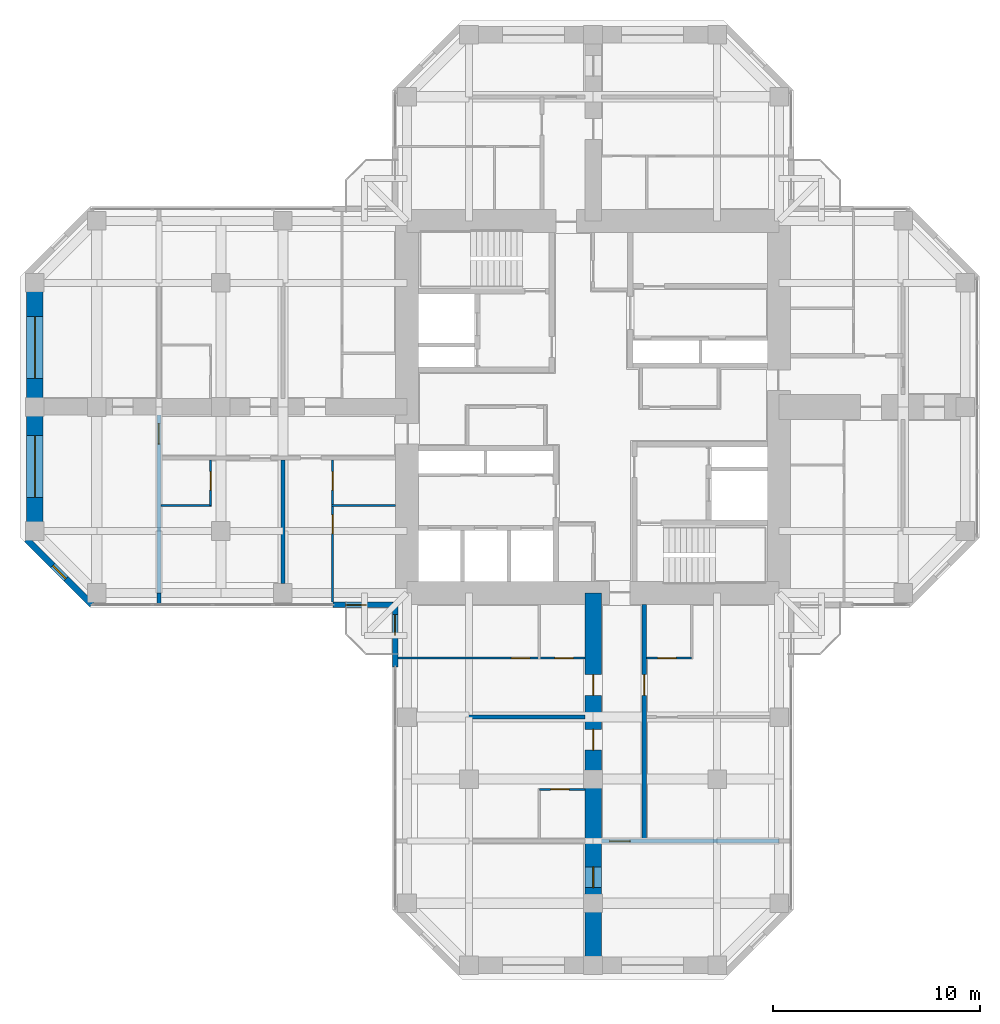
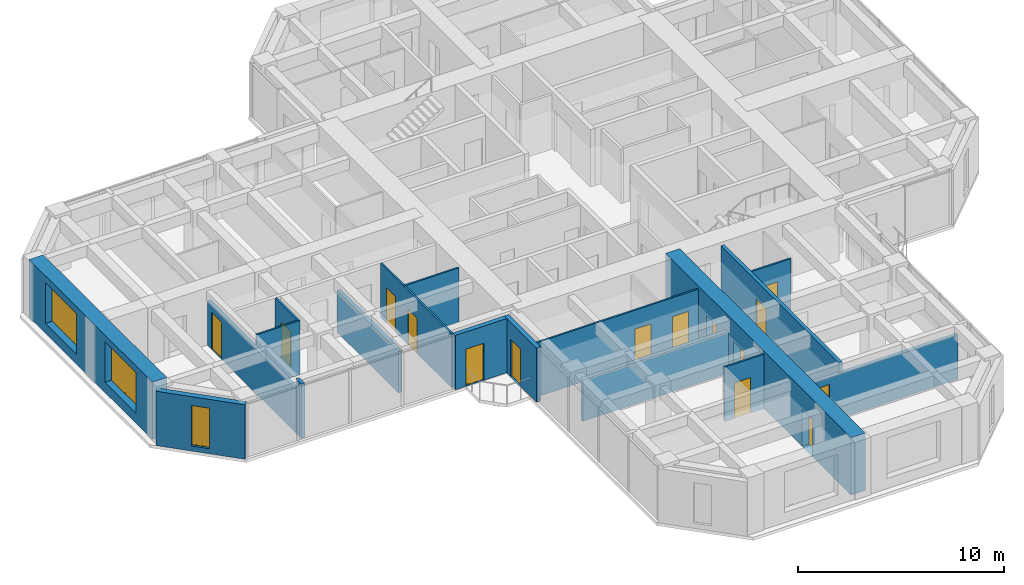
# One storey, part 8 of 14: 18 walls, 15 doors, 3 windows, 18 openings.
"""IFC4 building model written with IfcOpenShell, lengths in metres."""

from ifc_helpers import new_model, si_unit, direction, frame, frame_2d, origin, place, context, subcontext, project, spatial, rectangle, hollow_rectangle, extrude, material, layer, layer_set, constituent, constituent_set, type_object, element, fill, save


model = new_model("IFC4")

# Units and contexts
model_context = context("Model", 3, precision=1e-05, world=origin(), true_north=direction((0.0, 1.0)))
body_context = subcontext(model_context, "Body", "Model", "MODEL_VIEW")
ifc_project = project(units=[si_unit("LENGTHUNIT", "METRE"), si_unit("AREAUNIT", "SQUARE_METRE"), si_unit("VOLUMEUNIT", "CUBIC_METRE"), si_unit("PLANEANGLEUNIT", "RADIAN"), si_unit("MASSUNIT", "GRAM", prefix="KILO")], contexts=[model_context])

# Site, building, storey
site_placement = place(None, origin())
site = spatial("IfcSite", under=ifc_project, at=site_placement, CompositionType="ELEMENT")
building_placement = place(site_placement, origin())
building = spatial("IfcBuilding", under=site, at=building_placement, Name="Torre Cruceta", CompositionType="ELEMENT")
storey_placement = place(building_placement, frame((0.0, 0.0, 186.5)))
storey = spatial("IfcBuildingStorey", under=building, at=storey_placement, Name="L46", CompositionType="ELEMENT", Elevation=186.5)

# Wall, opening, door
ifc_material_1 = material(Name="Water-resistant plasterboard on steel studs", Category="steel")
ifc_layer_1 = layer(ifc_material_1, 0.10009765625)
ifc_layer_set_1 = layer_set([ifc_layer_1], Name="Water-resistant plasterboard on steel studs")
wall_type_1 = type_object("IfcWallType", Name="BATHROOM WALL 100", PredefinedType="PARTITIONING", material=ifc_layer_set_1)
wall_1_placement = place(storey_placement, frame((2.574951171875, -12.14990234375, 0.0), z_axis=(0.0, 0.0, 1.0), x_axis=(1.0, 0.0, 0.0)))
wall_1 = element("IfcWall", 1, at=wall_1_placement, inside=storey, type_object=wall_type_1, Name="PT4 L46-S-U1LBS", PredefinedType="PARTITIONING", context=body_context, shape_type="SweptSolid", body=[
    extrude(rectangle(XDim=2.199951171875, YDim=0.10009765625, at=frame_2d((1.10009765625, 0.0))), origin(), (0.0, 0.0, 1.0), 3.219970703125),
])
opening_1_placement = place(wall_1_placement, frame((0.550048828125, 0.0, 0.0)))
opening_1 = element("IfcOpeningElement", 2, at=opening_1_placement, cuts=wall_1, Name="Opening D7", PredefinedType="OPENING", context=body_context, shape_type="SweptSolid", body=[
    extrude(rectangle(XDim=0.89990234375, YDim=2.10009765625, at=frame_2d((0.449951171875, 1.050048828125))), frame((0.0, 0.06005859375, 0.0), z_axis=(0.0, -1.0, 0.0), x_axis=(1.0, 0.0, 0.0)), (0.0, 0.0, 1.0), 0.1201171875),
])
ifc_material_2 = material(Name="Timber door", Category="wood")
door_type_1 = type_object("IfcDoorType", Name="BATHROOM DOOR 900X2100", OperationType="SINGLE_SWING_LEFT", PredefinedType="DOOR", material=ifc_material_2)
door_1_placement = place(opening_1_placement, origin())
door_1 = element("IfcDoor", 3, at=door_1_placement, inside=storey, type_object=door_type_1, Name="D7 L46-S-U1LBS-D1", OperationType="SINGLE_SWING_LEFT", OverallHeight=2.10009765625, OverallWidth=0.89990234375, PredefinedType="DOOR", context=body_context, shape_type="SweptSolid", body=[
    extrude(rectangle(XDim=0.89990234375, YDim=2.10009765625, at=frame_2d((0.449951171875, 1.050048828125))), frame((0.0, 0.02490234375, 0.0), z_axis=(0.0, -1.0, 0.0), x_axis=(1.0, 0.0, 0.0)), (0.0, 0.0, 1.0), 0.050048828125),
])
fill(opening_1, door_1)

# Wall, openings, doors
wall_2_placement = place(storey_placement, frame((-9.445068359375, -12.14990234375, 0.0), z_axis=(0.0, 0.0, 1.0), x_axis=(1.0, 0.0, 0.0)))
wall_2 = element("IfcWall", 4, at=wall_2_placement, inside=storey, type_object=wall_type_1, Name="PT4 L46-S-U1RBS", PredefinedType="PARTITIONING", context=body_context, shape_type="SweptSolid", body=[
    extrude(rectangle(XDim=9.045166015625, YDim=0.10009765625, at=frame_2d((4.5224609375, 0.0))), origin(), (0.0, 0.0, 1.0), 3.219970703125),
])
opening_2_placement = place(wall_2_placement, frame((5.4951171875, 0.0, 0.0)))
opening_2 = element("IfcOpeningElement", 5, at=opening_2_placement, cuts=wall_2, Name="Opening D7", PredefinedType="OPENING", context=body_context, shape_type="SweptSolid", body=[
    extrude(rectangle(XDim=0.89990234375, YDim=2.10009765625, at=frame_2d((0.449951171875, 1.050048828125))), frame((0.0, 0.06005859375, 0.0), z_axis=(0.0, -1.0, 0.0), x_axis=(1.0, 0.0, 0.0)), (0.0, 0.0, 1.0), 0.1201171875),
])
opening_3_placement = place(wall_2_placement, frame((7.594970703125, 0.0, 0.0)))
opening_3 = element("IfcOpeningElement", 6, at=opening_3_placement, cuts=wall_2, Name="Opening D7", PredefinedType="OPENING", context=body_context, shape_type="SweptSolid", body=[
    extrude(rectangle(XDim=0.89990234375, YDim=2.10009765625, at=frame_2d((0.449951171875, 1.050048828125))), frame((0.0, 0.06005859375, 0.0), z_axis=(0.0, -1.0, 0.0), x_axis=(1.0, 0.0, 0.0)), (0.0, 0.0, 1.0), 0.1201171875),
])
door_2_placement = place(opening_2_placement, origin())
door_2 = element("IfcDoor", 7, at=door_2_placement, inside=storey, type_object=door_type_1, Name="D7 L46-S-U1RBS-D1", OperationType="SINGLE_SWING_RIGHT", OverallHeight=2.10009765625, OverallWidth=0.89990234375, PredefinedType="DOOR", context=body_context, shape_type="SweptSolid", body=[
    extrude(rectangle(XDim=0.89990234375, YDim=2.10009765625, at=frame_2d((0.449951171875, 1.050048828125))), frame((0.0, 0.02490234375, 0.0), z_axis=(0.0, -1.0, 0.0), x_axis=(1.0, 0.0, 0.0)), (0.0, 0.0, 1.0), 0.050048828125),
])
fill(opening_2, door_2)
door_3_placement = place(opening_3_placement, origin())
door_3 = element("IfcDoor", 8, at=door_3_placement, inside=storey, type_object=door_type_1, Name="D7 L46-S-U1RBS-D2", OperationType="SINGLE_SWING_RIGHT", OverallHeight=2.10009765625, OverallWidth=0.89990234375, PredefinedType="DOOR", context=body_context, shape_type="SweptSolid", body=[
    extrude(rectangle(XDim=0.89990234375, YDim=2.10009765625, at=frame_2d((0.449951171875, 1.050048828125))), frame((0.0, 0.02490234375, 0.0), z_axis=(0.0, -1.0, 0.0), x_axis=(1.0, 0.0, 0.0)), (0.0, 0.0, 1.0), 0.050048828125),
])
fill(opening_3, door_3)

# Wall, opening, door
wall_3_placement = place(storey_placement, frame((-2.60009765625, -18.5, 0.0), z_axis=(0.0, 0.0, 1.0), x_axis=(1.0, 0.0, 0.0)))
wall_3 = element("IfcWall", 9, at=wall_3_placement, inside=storey, type_object=wall_type_1, Name="PT4 L46-S-U2RBS", PredefinedType="PARTITIONING", context=body_context, shape_type="SweptSolid", body=[
    extrude(rectangle(XDim=2.2001953125, YDim=0.10009765625, at=frame_2d((1.10009765625, 0.0))), origin(), (0.0, 0.0, 1.0), 3.219970703125),
])
opening_4_placement = place(wall_3_placement, frame((0.550048828125, 0.0, 0.0)))
opening_4 = element("IfcOpeningElement", 10, at=opening_4_placement, cuts=wall_3, Name="Opening D7", PredefinedType="OPENING", context=body_context, shape_type="SweptSolid", body=[
    extrude(rectangle(XDim=0.89990234375, YDim=2.10009765625, at=frame_2d((0.449951171875, 1.050048828125))), frame((0.0, 0.06005859375, 0.0), z_axis=(0.0, -1.0, 0.0), x_axis=(1.0, 0.0, 0.0)), (0.0, 0.0, 1.0), 0.1201171875),
])
door_4_placement = place(opening_4_placement, frame((0.89990234375, 0.0, 0.0), z_axis=(0.0, 0.0, 1.0), x_axis=(-1.0, 0.0, 0.0)))
door_4 = element("IfcDoor", 11, at=door_4_placement, inside=storey, type_object=door_type_1, Name="D7 L46-S-U2RBS-D1", OperationType="SINGLE_SWING_RIGHT", OverallHeight=2.10009765625, OverallWidth=0.89990234375, PredefinedType="DOOR", context=body_context, shape_type="SweptSolid", body=[
    extrude(rectangle(XDim=0.89990234375, YDim=2.10009765625, at=frame_2d((0.449951171875, 1.050048828125))), frame((0.0, 0.025146484375, 0.0), z_axis=(0.0, -1.0, 0.0), x_axis=(1.0, 0.0, 0.0)), (0.0, 0.0, 1.0), 0.050048828125),
])
fill(opening_4, door_4)

# Wall
wall_4_placement = place(storey_placement, frame((-9.550048828125, -4.77490234375, 0.0), z_axis=(0.0, 0.0, 1.0), x_axis=(-1.0, 0.0, 0.0)))
element("IfcWall", 12, at=wall_4_placement, inside=storey, type_object=wall_type_1, Name="PT4 L46-W-U1LBB", PredefinedType="PARTITIONING", context=body_context, shape_type="SweptSolid", body=[
    extrude(rectangle(XDim=3.099853515625, YDim=0.10009765625, at=frame_2d((1.5498046875, 0.0))), origin(), (0.0, 0.0, 1.0), 3.219970703125),
])

# Wall, openings, doors
wall_5_placement = place(storey_placement, frame((-12.60009765625, -2.574951171875, 0.0), z_axis=(0.0, 0.0, 1.0), x_axis=(0.0, -1.0, 0.0)))
wall_5 = element("IfcWall", 13, at=wall_5_placement, inside=storey, type_object=wall_type_1, Name="PT4 L46-W-U1LBS", PredefinedType="PARTITIONING", context=body_context, shape_type="SweptSolid", body=[
    extrude(rectangle(XDim=6.8701171875, YDim=0.10009765625, at=frame_2d((3.43505859375, 0.0))), origin(), (0.0, 0.0, 1.0), 3.219970703125),
])
opening_5_placement = place(wall_5_placement, frame((0.550048828125, 0.0, 0.0)))
opening_5 = element("IfcOpeningElement", 14, at=opening_5_placement, cuts=wall_5, Name="Opening D7", PredefinedType="OPENING", context=body_context, shape_type="SweptSolid", body=[
    extrude(rectangle(XDim=0.89990234375, YDim=2.10009765625, at=frame_2d((0.449951171875, 1.050048828125))), frame((0.0, 0.06005859375, 0.0), z_axis=(0.0, -1.0, 0.0), x_axis=(1.0, 0.0, 0.0)), (0.0, 0.0, 1.0), 0.1201171875),
])
opening_6_placement = place(wall_5_placement, frame((2.64990234375, 0.0, 0.0)))
opening_6 = element("IfcOpeningElement", 15, at=opening_6_placement, cuts=wall_5, Name="Opening D7", PredefinedType="OPENING", context=body_context, shape_type="SweptSolid", body=[
    extrude(rectangle(XDim=0.89990234375, YDim=2.10009765625, at=frame_2d((0.449951171875, 1.050048828125))), frame((0.0, 0.06005859375, 0.0), z_axis=(0.0, -1.0, 0.0), x_axis=(1.0, 0.0, 0.0)), (0.0, 0.0, 1.0), 0.1201171875),
])
door_5_placement = place(opening_5_placement, origin())
door_5 = element("IfcDoor", 16, at=door_5_placement, inside=storey, type_object=door_type_1, Name="D7 L46-W-U1LBS-D1", OperationType="SINGLE_SWING_LEFT", OverallHeight=2.10009765625, OverallWidth=0.89990234375, PredefinedType="DOOR", context=body_context, shape_type="SweptSolid", body=[
    extrude(rectangle(XDim=0.89990234375, YDim=2.10009765625, at=frame_2d((0.449951171875, 1.050048828125))), frame((0.0, 0.02490234375, 0.0), z_axis=(0.0, -1.0, 0.0), x_axis=(1.0, 0.0, 0.0)), (0.0, 0.0, 1.0), 0.050048828125),
])
fill(opening_5, door_5)
door_6_placement = place(opening_6_placement, origin())
door_6 = element("IfcDoor", 17, at=door_6_placement, inside=storey, type_object=door_type_1, Name="D7 L46-W-U1LBS-D2", OperationType="SINGLE_SWING_LEFT", OverallHeight=2.10009765625, OverallWidth=0.89990234375, PredefinedType="DOOR", context=body_context, shape_type="SweptSolid", body=[
    extrude(rectangle(XDim=0.89990234375, YDim=2.10009765625, at=frame_2d((0.449951171875, 1.050048828125))), frame((0.0, 0.02490234375, 0.0), z_axis=(0.0, -1.0, 0.0), x_axis=(1.0, 0.0, 0.0)), (0.0, 0.0, 1.0), 0.050048828125),
])
fill(opening_6, door_6)

# Wall
wall_6_placement = place(storey_placement, frame((-18.449951171875, -4.77490234375, 0.0), z_axis=(0.0, 0.0, 1.0), x_axis=(-1.0, 0.0, 0.0)))
element("IfcWall", 18, at=wall_6_placement, inside=storey, type_object=wall_type_1, Name="PT4 L46-W-U2LBB", PredefinedType="PARTITIONING", context=body_context, shape_type="SweptSolid", body=[
    extrude(rectangle(XDim=2.449951171875, YDim=0.10009765625, at=frame_2d((1.22509765625, 0.0))), origin(), (0.0, 0.0, 1.0), 3.219970703125),
])

# Wall, opening, door
wall_7_placement = place(storey_placement, frame((-18.5, -2.574951171875, 0.0), z_axis=(0.0, 0.0, 1.0), x_axis=(0.0, -1.0, 0.0)))
wall_7 = element("IfcWall", 19, at=wall_7_placement, inside=storey, type_object=wall_type_1, Name="PT4 L46-W-U2LBS", PredefinedType="PARTITIONING", context=body_context, shape_type="SweptSolid", body=[
    extrude(rectangle(XDim=2.199951171875, YDim=0.10009765625, at=frame_2d((1.10009765625, 0.0))), origin(), (0.0, 0.0, 1.0), 3.219970703125),
])
opening_7_placement = place(wall_7_placement, frame((0.550048828125, 0.0, 0.0)))
opening_7 = element("IfcOpeningElement", 20, at=opening_7_placement, cuts=wall_7, Name="Opening D7", PredefinedType="OPENING", context=body_context, shape_type="SweptSolid", body=[
    extrude(rectangle(XDim=0.89990234375, YDim=2.10009765625, at=frame_2d((0.449951171875, 1.050048828125))), frame((0.0, 0.06005859375, 0.0), z_axis=(0.0, -1.0, 0.0), x_axis=(1.0, 0.0, 0.0)), (0.0, 0.0, 1.0), 0.1201171875),
])
door_7_placement = place(opening_7_placement, frame((0.89990234375, 0.0, 0.0), z_axis=(0.0, 0.0, 1.0), x_axis=(-1.0, 0.0, 0.0)))
door_7 = element("IfcDoor", 21, at=door_7_placement, inside=storey, type_object=door_type_1, Name="D7 L46-W-U2LBS-D1", OperationType="SINGLE_SWING_RIGHT", OverallHeight=2.10009765625, OverallWidth=0.89990234375, PredefinedType="DOOR", context=body_context, shape_type="SweptSolid", body=[
    extrude(rectangle(XDim=0.89990234375, YDim=2.10009765625, at=frame_2d((0.449951171875, 1.050048828125))), frame((0.0, 0.025146484375, 0.0), z_axis=(0.0, -1.0, 0.0), x_axis=(1.0, 0.0, 0.0)), (0.0, 0.0, 1.0), 0.050048828125),
])
fill(opening_7, door_7)

ifc_material_3 = material(Name="Concrete G25 (fck 25 MPa)", Category="concrete")
ifc_layer_2 = layer(ifc_material_3, 0.199951171875)
ifc_layer_set_2 = layer_set([ifc_layer_2], Name="Concrete G25 (fck 25 MPa)")
wall_type_2 = type_object("IfcWallType", Name="CORRIDOR WALL 200", PredefinedType="SOLIDWALL", material=ifc_layer_set_2)
wall_8_placement = place(storey_placement, frame((2.47509765625, -9.550048828125, 0.0), z_axis=(0.0, 0.0, 1.0), x_axis=(0.0, -1.0, 0.0)))
wall_8 = element("IfcWall", 22, at=wall_8_placement, inside=storey, type_object=wall_type_2, Name="PT3 L46-S-CL", PredefinedType="SOLIDWALL", context=body_context, shape_type="SweptSolid", body=[
    extrude(rectangle(XDim=11.449951171875, YDim=0.199951171875, at=frame_2d((5.72509765625, 0.0))), origin(), (0.0, 0.0, 1.0), 3.219970703125),
])
opening_8_placement = place(wall_8_placement, frame((3.39990234375, 0.0, 0.0)))
opening_8 = element("IfcOpeningElement", 23, at=opening_8_placement, cuts=wall_8, Name="Opening D6", PredefinedType="OPENING", context=body_context, shape_type="SweptSolid", body=[
    extrude(rectangle(XDim=1.0, YDim=2.14990234375, at=frame_2d((0.5, 1.074951171875))), frame((0.0, 0.10986328125, 0.0), z_axis=(0.0, -1.0, 0.0), x_axis=(1.0, 0.0, 0.0)), (0.0, 0.0, 1.0), 0.219970703125),
])
ifc_material_4 = material(Name="Timber fire door", Category="wood")
door_type_2 = type_object("IfcDoorType", Name="UNIT ENTRANCE DOOR 1000X2150", OperationType="SINGLE_SWING_LEFT", PredefinedType="DOOR", material=ifc_material_4)
door_8_placement = place(opening_8_placement, origin())
door_8 = element("IfcDoor", 24, at=door_8_placement, inside=storey, type_object=door_type_2, Name="D6 L46-S-CL-D1", OperationType="SINGLE_SWING_LEFT", OverallHeight=2.14990234375, OverallWidth=1.0, PredefinedType="DOOR", context=body_context, shape_type="SweptSolid", body=[
    extrude(rectangle(XDim=1.0, YDim=2.14990234375, at=frame_2d((0.5, 1.074951171875))), frame((0.0, 0.02490234375, 0.0), z_axis=(0.0, -1.0, 0.0), x_axis=(1.0, 0.0, 0.0)), (0.0, 0.0, 1.0), 0.050048828125),
])
fill(opening_8, door_8)

# Wall, opening, window
ifc_material_5 = material(Name="Concrete G30 (fck 30 MPa)", Category="concrete")
ifc_layer_3 = layer(ifc_material_5, 0.300048828125)
ifc_layer_set_3 = layer_set([ifc_layer_3], Name="Concrete G30 (fck 30 MPa)")
wall_type_3 = type_object("IfcWallType", Name="EXPOSED CONCRETE FACADE WALL 300", PredefinedType="SOLIDWALL", material=ifc_layer_set_3)
wall_9_placement = place(storey_placement, frame((-27.39990234375, -6.406005859375, 0.0), z_axis=(0.0, 0.0, 1.0), x_axis=(0.707079499254, -0.707134062067, 0.0)))
wall_9 = element("IfcWall", 25, at=wall_9_placement, inside=storey, type_object=wall_type_3, Name="EW1 facade wall L46 W chamfer 13", PredefinedType="SOLIDWALL", context=body_context, shape_type="SweptSolid", body=[
    extrude(rectangle(XDim=4.474609375, YDim=0.300048828125, at=frame_2d((2.2373046875, 0.0))), origin(), (0.0, 0.0, 1.0), 3.219970703125),
])
opening_9_placement = place(wall_9_placement, frame((1.787109375, 0.0, 0.300048828125)))
opening_9 = element("IfcOpeningElement", 26, at=opening_9_placement, cuts=wall_9, Name="Opening WN5", PredefinedType="OPENING", context=body_context, shape_type="SweptSolid", body=[
    extrude(rectangle(XDim=0.89990234375, YDim=2.39990234375, at=frame_2d((0.449951171875, 1.199951171875))), frame((0.0, 0.159912109375, 0.0), z_axis=(0.0, -1.0, 0.0), x_axis=(1.0, 0.0, 0.0)), (0.0, 0.0, 1.0), 0.320068359375),
])
ifc_material_6 = material(Name="Aluminium window frame", Category="aluminium")
ifc_constituent_1 = constituent(ifc_material_6, Name="Frame")
ifc_material_7 = material(Name="Laminated insulating glass unit, low-iron clear", Category="glass")
ifc_constituent_2 = constituent(ifc_material_7, Name="Glazing")
ifc_constituent_set_1 = constituent_set(constituents=[ifc_constituent_1, ifc_constituent_2], Name="Aluminium window")
window_type_1 = type_object("IfcWindowType", Name="CHAMFER SLOT WINDOW 900X2400", PartitioningType="SINGLE_PANEL", PredefinedType="WINDOW", material=ifc_constituent_set_1)
window_1_placement = place(opening_9_placement, origin())
window_1 = element("IfcWindow", 27, at=window_1_placement, inside=storey, type_object=window_type_1, Name="WN5 L46 W 1", OverallHeight=2.39990234375, OverallWidth=0.89990234375, PartitioningType="SINGLE_PANEL", PredefinedType="WINDOW", context=body_context, shape_type="SweptSolid", body=[
    extrude(hollow_rectangle(XDim=0.89990234375, YDim=2.39990234375, WallThickness=0.06005859375, at=frame_2d((0.449951171875, 1.199951171875))), frame((0.0, 0.030029296875, 0.0), z_axis=(0.0, -1.0, 0.0), x_axis=(1.0, 0.0, 0.0)), (0.0, 0.0, 1.0), 0.06005859375),
    extrude(rectangle(XDim=0.77880859375, YDim=2.27880859375, at=frame_2d((0.449951171875, 1.199951171875))), frame((0.0, 0.030029296875, 0.0), z_axis=(0.0, -1.0, 0.0), x_axis=(1.0, 0.0, 0.0)), (0.0, 0.0, 1.0), 0.06005859375),
])
fill(opening_9, window_1)

# Wall, openings, windows
ifc_material_8 = material(Name="Concrete G60 (fck 60 MPa)", Category="concrete")
ifc_layer_4 = layer(ifc_material_8, 0.800048828125)
ifc_layer_set_4 = layer_set([ifc_layer_4], Name="Concrete G60 (fck 60 MPa)")
wall_type_4 = type_object("IfcWallType", Name="NOSE WALL 800 G60", PredefinedType="SHEAR", material=ifc_layer_set_4)
wall_10_placement = place(storey_placement, frame((-27.0, 6.0, 0.0), z_axis=(0.0, 0.0, 1.0), x_axis=(0.0, -1.0, 0.0)))
wall_10 = element("IfcWall", 28, at=wall_10_placement, inside=storey, type_object=wall_type_4, Name="NW2 nose wall L46 W", PredefinedType="SHEAR", context=body_context, shape_type="SweptSolid", body=[
    extrude(rectangle(XDim=12.0, YDim=0.800048828125, at=frame_2d((6.0, 0.0))), origin(), (0.0, 0.0, 1.0), 3.39990234375),
])
opening_10_placement = place(wall_10_placement, frame((1.625, 0.0, 0.60009765625)))
opening_10 = element("IfcOpeningElement", 29, at=opening_10_placement, cuts=wall_10, Name="Opening WN6", PredefinedType="OPENING", context=body_context, shape_type="SweptSolid", body=[
    extrude(rectangle(XDim=3.0, YDim=2.39990234375, at=frame_2d((1.5, 1.199951171875))), frame((0.0, 0.409912109375, 0.0), z_axis=(0.0, -1.0, 0.0), x_axis=(1.0, 0.0, 0.0)), (0.0, 0.0, 1.0), 0.820068359375),
])
opening_11_placement = place(wall_10_placement, frame((7.375, 0.0, 0.60009765625)))
opening_11 = element("IfcOpeningElement", 30, at=opening_11_placement, cuts=wall_10, Name="Opening WN6", PredefinedType="OPENING", context=body_context, shape_type="SweptSolid", body=[
    extrude(rectangle(XDim=3.0, YDim=2.39990234375, at=frame_2d((1.5, 1.199951171875))), frame((0.0, 0.409912109375, 0.0), z_axis=(0.0, -1.0, 0.0), x_axis=(1.0, 0.0, 0.0)), (0.0, 0.0, 1.0), 0.820068359375),
])
ifc_material_9 = material(Name="Aluminium window frame", Category="aluminium")
ifc_constituent_3 = constituent(ifc_material_9, Name="Frame")
ifc_material_10 = material(Name="Laminated insulating glass unit, low-iron clear", Category="glass")
ifc_constituent_4 = constituent(ifc_material_10, Name="Glazing")
ifc_constituent_set_2 = constituent_set(constituents=[ifc_constituent_3, ifc_constituent_4], Name="Aluminium window")
window_type_2 = type_object("IfcWindowType", Name="NOSE WALL WINDOW 3000X2400", PartitioningType="SINGLE_PANEL", PredefinedType="WINDOW", material=ifc_constituent_set_2)
window_2_placement = place(opening_10_placement, origin())
window_2 = element("IfcWindow", 31, at=window_2_placement, inside=storey, type_object=window_type_2, Name="WN6 L46 W 1", OverallHeight=2.39990234375, OverallWidth=3.0, PartitioningType="SINGLE_PANEL", PredefinedType="WINDOW", context=body_context, shape_type="SweptSolid", body=[
    extrude(hollow_rectangle(XDim=3.0, YDim=2.39990234375, WallThickness=0.06005859375, at=frame_2d((1.5, 1.199951171875))), frame((0.0, 0.030029296875, 0.0), z_axis=(0.0, -1.0, 0.0), x_axis=(1.0, 0.0, 0.0)), (0.0, 0.0, 1.0), 0.06005859375),
    extrude(rectangle(XDim=2.87890625, YDim=2.27880859375, at=frame_2d((1.5, 1.199951171875))), frame((0.0, 0.030029296875, 0.0), z_axis=(0.0, -1.0, 0.0), x_axis=(1.0, 0.0, 0.0)), (0.0, 0.0, 1.0), 0.06005859375),
])
fill(opening_10, window_2)
window_3_placement = place(opening_11_placement, origin())
window_3 = element("IfcWindow", 32, at=window_3_placement, inside=storey, type_object=window_type_2, Name="WN6 L46 W 2", OverallHeight=2.39990234375, OverallWidth=3.0, PartitioningType="SINGLE_PANEL", PredefinedType="WINDOW", context=body_context, shape_type="SweptSolid", body=[
    extrude(hollow_rectangle(XDim=3.0, YDim=2.39990234375, WallThickness=0.06005859375, at=frame_2d((1.5, 1.199951171875))), frame((0.0, 0.030029296875, 0.0), z_axis=(0.0, -1.0, 0.0), x_axis=(1.0, 0.0, 0.0)), (0.0, 0.0, 1.0), 0.06005859375),
    extrude(rectangle(XDim=2.87890625, YDim=2.27880859375, at=frame_2d((1.5, 1.199951171875))), frame((0.0, 0.030029296875, 0.0), z_axis=(0.0, -1.0, 0.0), x_axis=(1.0, 0.0, 0.0)), (0.0, 0.0, 1.0), 0.06005859375),
])
fill(opening_11, window_3)

# Wall, openings, doors
ifc_material_11 = material(Name="Concrete G60 (fck 60 MPa)", Category="concrete")
ifc_layer_5 = layer(ifc_material_11, 0.800048828125)
ifc_layer_set_5 = layer_set([ifc_layer_5], Name="Concrete G60 (fck 60 MPa)")
wall_type_5 = type_object("IfcWallType", Name="SPINE WALL 800 G60", PredefinedType="SHEAR", material=ifc_layer_set_5)
wall_11_placement = place(storey_placement, frame((0.0, -9.0, 0.0), z_axis=(0.0, 0.0, 1.0), x_axis=(0.0, -1.0, 0.0)))
wall_11 = element("IfcWall", 33, at=wall_11_placement, inside=storey, type_object=wall_type_5, Name="SW4 spine wall L46 S", PredefinedType="SHEAR", context=body_context, shape_type="SweptSolid", body=[
    extrude(rectangle(XDim=18.0, YDim=0.800048828125, at=frame_2d((9.0, 0.0))), origin(), (0.0, 0.0, 1.0), 3.39990234375),
])
opening_12_placement = place(wall_11_placement, frame((3.949951171875, 0.0, 0.0)))
opening_12 = element("IfcOpeningElement", 34, at=opening_12_placement, cuts=wall_11, Name="Opening D6", PredefinedType="OPENING", context=body_context, shape_type="SweptSolid", body=[
    extrude(rectangle(XDim=1.0, YDim=2.14990234375, at=frame_2d((0.5, 1.074951171875))), frame((0.0, 0.409912109375, 0.0), z_axis=(0.0, -1.0, 0.0), x_axis=(1.0, 0.0, 0.0)), (0.0, 0.0, 1.0), 0.820068359375),
])
opening_13_placement = place(wall_11_placement, frame((6.60009765625, 0.0, 0.0)))
opening_13 = element("IfcOpeningElement", 35, at=opening_13_placement, cuts=wall_11, Name="Opening D6", PredefinedType="OPENING", context=body_context, shape_type="SweptSolid", body=[
    extrude(rectangle(XDim=1.0, YDim=2.14990234375, at=frame_2d((0.5, 1.074951171875))), frame((0.0, 0.409912109375, 0.0), z_axis=(0.0, -1.0, 0.0), x_axis=(1.0, 0.0, 0.0)), (0.0, 0.0, 1.0), 0.820068359375),
])
opening_14_placement = place(wall_11_placement, frame((13.25, 0.0, 0.0)))
opening_14 = element("IfcOpeningElement", 36, at=opening_14_placement, cuts=wall_11, Name="Opening D14", PredefinedType="OPENING", context=body_context, shape_type="SweptSolid", body=[
    extrude(rectangle(XDim=1.0, YDim=2.199951171875, at=frame_2d((0.5, 1.10009765625))), frame((0.0, 0.409912109375, 0.0), z_axis=(0.0, -1.0, 0.0), x_axis=(1.0, 0.0, 0.0)), (0.0, 0.0, 1.0), 0.820068359375),
])
ifc_material_12 = material(Name="Steel DX51D", Category="steel")
ifc_constituent_5 = constituent(ifc_material_12, Name="Leaf and frame")
ifc_material_13 = material(Name="Polyester powder coating", Category="paint")
ifc_constituent_6 = constituent(ifc_material_13, Name="Finish")
ifc_material_14 = material(Name="Fire-resisting glass", Category="glass")
ifc_constituent_7 = constituent(ifc_material_14, Name="Vision panel")
ifc_constituent_set_3 = constituent_set(constituents=[ifc_constituent_5, ifc_constituent_6, ifc_constituent_7], Name="Steel fire door with vision panel")
door_type_3 = type_object("IfcDoorType", Name="FIRE DOOR VISION PANEL 1000X2200", OperationType="SINGLE_SWING_RIGHT", PredefinedType="DOOR", material=ifc_constituent_set_3)
door_9_placement = place(opening_14_placement, origin())
door_9 = element("IfcDoor", 37, at=door_9_placement, inside=storey, type_object=door_type_3, Name="D14 L46-S-SP3", OperationType="SINGLE_SWING_LEFT", OverallHeight=2.199951171875, OverallWidth=1.0, PredefinedType="DOOR", context=body_context, shape_type="SweptSolid", body=[
    extrude(rectangle(XDim=1.0, YDim=2.199951171875, at=frame_2d((0.5, 1.10009765625))), frame((0.0, 0.02490234375, 0.0), z_axis=(0.0, -1.0, 0.0), x_axis=(1.0, 0.0, 0.0)), (0.0, 0.0, 1.0), 0.050048828125),
])
fill(opening_14, door_9)
door_10_placement = place(opening_12_placement, frame((1.0, 0.0, 0.0), z_axis=(0.0, 0.0, 1.0), x_axis=(-1.0, 0.0, 0.0)))
door_10 = element("IfcDoor", 38, at=door_10_placement, inside=storey, type_object=door_type_2, Name="D6 L46-S-SP1", OperationType="SINGLE_SWING_RIGHT", OverallHeight=2.14990234375, OverallWidth=1.0, PredefinedType="DOOR", context=body_context, shape_type="SweptSolid", body=[
    extrude(rectangle(XDim=1.0, YDim=2.14990234375, at=frame_2d((0.5, 1.074951171875))), frame((0.0, 0.025146484375, 0.0), z_axis=(0.0, -1.0, 0.0), x_axis=(1.0, 0.0, 0.0)), (0.0, 0.0, 1.0), 0.050048828125),
])
fill(opening_12, door_10)
door_11_placement = place(opening_13_placement, frame((1.0, 0.0, 0.0), z_axis=(0.0, 0.0, 1.0), x_axis=(-1.0, 0.0, 0.0)))
door_11 = element("IfcDoor", 39, at=door_11_placement, inside=storey, type_object=door_type_2, Name="D6 L46-S-SP2", OperationType="SINGLE_SWING_RIGHT", OverallHeight=2.14990234375, OverallWidth=1.0, PredefinedType="DOOR", context=body_context, shape_type="SweptSolid", body=[
    extrude(rectangle(XDim=1.0, YDim=2.14990234375, at=frame_2d((0.5, 1.074951171875))), frame((0.0, 0.025146484375, 0.0), z_axis=(0.0, -1.0, 0.0), x_axis=(1.0, 0.0, 0.0)), (0.0, 0.0, 1.0), 0.050048828125),
])
fill(opening_13, door_11)

# Wall
ifc_material_15 = material(Name="Concrete G25 (fck 25 MPa)", Category="concrete")
ifc_layer_6 = layer(ifc_material_15, 0.199951171875)
ifc_layer_set_6 = layer_set([ifc_layer_6], Name="Concrete G25 (fck 25 MPa)")
wall_type_6 = type_object("IfcWallType", Name="UNIT SEPARATING WALL 200", PredefinedType="SOLIDWALL", material=ifc_layer_set_6)
wall_12_placement = place(storey_placement, frame((-8.550048828125, -15.0, 0.0), z_axis=(0.0, 0.0, 1.0), x_axis=(1.0, 0.0, 0.0)))
element("IfcWall", 40, at=wall_12_placement, inside=storey, type_object=wall_type_6, Name="PT2 L46-S-P1R", PredefinedType="SOLIDWALL", context=body_context, shape_type="SweptSolid", body=[
    extrude(rectangle(XDim=8.150146484375, YDim=0.199951171875, at=frame_2d((4.0751953125, 0.0))), origin(), (0.0, 0.0, 1.0), 2.469970703125),
])

# Wall, opening, door
wall_13_placement = place(storey_placement, frame((0.39990234375, -21.0, 0.0), z_axis=(0.0, 0.0, 1.0), x_axis=(1.0, 0.0, 0.0)))
wall_13 = element("IfcWall", 41, at=wall_13_placement, inside=storey, type_object=wall_type_6, Name="PT2 L46-S-ENDb", PredefinedType="SOLIDWALL", context=body_context, shape_type="SweptSolid", body=[
    extrude(rectangle(XDim=8.60009765625, YDim=0.199951171875, at=frame_2d((4.300048828125, 0.0))), origin(), (0.0, 0.0, 1.0), 2.6201171875),
])
opening_15_placement = place(wall_13_placement, frame((0.39990234375, 0.0, 0.0)))
opening_15 = element("IfcOpeningElement", 42, at=opening_15_placement, cuts=wall_13, Name="Opening D14", PredefinedType="OPENING", context=body_context, shape_type="SweptSolid", body=[
    extrude(rectangle(XDim=1.0, YDim=2.199951171875, at=frame_2d((0.5, 1.10009765625))), frame((0.0, 0.10986328125, 0.0), z_axis=(0.0, -1.0, 0.0), x_axis=(1.0, 0.0, 0.0)), (0.0, 0.0, 1.0), 0.219970703125),
])
door_12_placement = place(opening_15_placement, frame((1.0, 0.0, 0.0), z_axis=(0.0, 0.0, 1.0), x_axis=(-1.0, 0.0, 0.0)))
door_12 = element("IfcDoor", 43, at=door_12_placement, inside=storey, type_object=door_type_3, Name="D14 L46-S-ENDb-D1", OperationType="SINGLE_SWING_RIGHT", OverallHeight=2.199951171875, OverallWidth=1.0, PredefinedType="DOOR", context=body_context, shape_type="SweptSolid", body=[
    extrude(rectangle(XDim=1.0, YDim=2.199951171875, at=frame_2d((0.5, 1.10009765625))), frame((0.0, 0.025146484375, 0.0), z_axis=(0.0, -1.0, 0.0), x_axis=(1.0, 0.0, 0.0)), (0.0, 0.0, 1.0), 0.050048828125),
])
fill(opening_15, door_12)

# Wall
wall_14_placement = place(storey_placement, frame((-15.0, -2.574951171875, 0.0), z_axis=(0.0, 0.0, 1.0), x_axis=(0.0, -1.0, 0.0)))
element("IfcWall", 44, at=wall_14_placement, inside=storey, type_object=wall_type_6, Name="PT2 L46-W-P1L", PredefinedType="SOLIDWALL", context=body_context, shape_type="SweptSolid", body=[
    extrude(rectangle(XDim=5.97509765625, YDim=0.199951171875, at=frame_2d((2.987548828125, 0.0))), origin(), (0.0, 0.0, 1.0), 2.469970703125),
])

# Wall, opening, door
wall_15_placement = place(storey_placement, frame((-21.0, -0.39990234375, 0.0), z_axis=(0.0, 0.0, 1.0), x_axis=(0.0, -1.0, 0.0)))
wall_15 = element("IfcWall", 45, at=wall_15_placement, inside=storey, type_object=wall_type_6, Name="PT2 L46-W-ENDb", PredefinedType="SOLIDWALL", context=body_context, shape_type="SweptSolid", body=[
    extrude(rectangle(XDim=8.60009765625, YDim=0.199951171875, at=frame_2d((4.300048828125, 0.0))), origin(), (0.0, 0.0, 1.0), 2.6201171875),
])
opening_16_placement = place(wall_15_placement, frame((0.39990234375, 0.0, 0.0)))
opening_16 = element("IfcOpeningElement", 46, at=opening_16_placement, cuts=wall_15, Name="Opening D14", PredefinedType="OPENING", context=body_context, shape_type="SweptSolid", body=[
    extrude(rectangle(XDim=1.0, YDim=2.199951171875, at=frame_2d((0.5, 1.10009765625))), frame((0.0, 0.10986328125, 0.0), z_axis=(0.0, -1.0, 0.0), x_axis=(1.0, 0.0, 0.0)), (0.0, 0.0, 1.0), 0.219970703125),
])
door_13_placement = place(opening_16_placement, frame((1.0, 0.0, 0.0), z_axis=(0.0, 0.0, 1.0), x_axis=(-1.0, 0.0, 0.0)))
door_13 = element("IfcDoor", 47, at=door_13_placement, inside=storey, type_object=door_type_3, Name="D14 L46-W-ENDb-D1", OperationType="SINGLE_SWING_RIGHT", OverallHeight=2.199951171875, OverallWidth=1.0, PredefinedType="DOOR", context=body_context, shape_type="SweptSolid", body=[
    extrude(rectangle(XDim=1.0, YDim=2.199951171875, at=frame_2d((0.5, 1.10009765625))), frame((0.0, 0.025146484375, 0.0), z_axis=(0.0, -1.0, 0.0), x_axis=(1.0, 0.0, 0.0)), (0.0, 0.0, 1.0), 0.050048828125),
])
fill(opening_16, door_13)

# Wall
wall_16_placement = place(storey_placement, frame((-21.0, -9.0, 0.0), z_axis=(0.0, 0.0, 1.0), x_axis=(0.0, -1.0, 0.0)))
element("IfcWall", 48, at=wall_16_placement, inside=storey, type_object=wall_type_6, Name="PT2 L46-W-ENDb 2", PredefinedType="SOLIDWALL", context=body_context, shape_type="SweptSolid", body=[
    extrude(rectangle(XDim=0.530029296875, YDim=0.199951171875, at=frame_2d((0.26513671875, 0.0))), origin(), (0.0, 0.0, 1.0), 3.219970703125),
])

# Wall, opening, door
ifc_material_16 = material(Name="Concrete G30 (fck 30 MPa)", Category="concrete")
ifc_layer_7 = layer(ifc_material_16, 0.25)
ifc_layer_set_7 = layer_set([ifc_layer_7], Name="Concrete G30 (fck 30 MPa)")
wall_type_7 = type_object("IfcWallType", Name="WINTER GARDEN WALL 250", PredefinedType="SOLIDWALL", material=ifc_layer_set_7)
wall_17_placement = place(storey_placement, frame((-12.570068359375, -9.570068359375, 0.0), z_axis=(0.0, 0.0, 1.0), x_axis=(1.0, 0.0, 0.0)))
wall_17 = element("IfcWall", 49, at=wall_17_placement, inside=storey, type_object=wall_type_7, Name="EW2 winter garden wall L46 14", PredefinedType="SOLIDWALL", context=body_context, shape_type="SweptSolid", body=[
    extrude(rectangle(XDim=2.875, YDim=0.25, at=frame_2d((1.4375, 0.0))), origin(), (0.0, 0.0, 1.0), 3.219970703125),
])
opening_17_placement = place(wall_17_placement, frame((0.60009765625, 0.0, 0.0)))
opening_17 = element("IfcOpeningElement", 50, at=opening_17_placement, cuts=wall_17, Name="Opening D10", PredefinedType="OPENING", context=body_context, shape_type="SweptSolid", body=[
    extrude(rectangle(XDim=1.0, YDim=2.199951171875, at=frame_2d((0.5, 1.10009765625))), frame((0.0, 0.135009765625, 0.0), z_axis=(0.0, -1.0, 0.0), x_axis=(1.0, 0.0, 0.0)), (0.0, 0.0, 1.0), 0.27001953125),
])
ifc_material_17 = material(Name="Aluminium door frame", Category="aluminium")
ifc_constituent_8 = constituent(ifc_material_17, Name="Frame")
ifc_material_18 = material(Name="Laminated safety glass", Category="glass")
ifc_constituent_9 = constituent(ifc_material_18, Name="Glazing")
ifc_constituent_set_4 = constituent_set(constituents=[ifc_constituent_8, ifc_constituent_9], Name="Aluminium glazed door")
door_type_4 = type_object("IfcDoorType", Name="BALCONY DOOR 1000X2200", OperationType="SINGLE_SWING_RIGHT", PredefinedType="DOOR", material=ifc_constituent_set_4)
door_14_placement = place(opening_17_placement, origin())
door_14 = element("IfcDoor", 51, at=door_14_placement, inside=storey, type_object=door_type_4, Name="D10 balcony door L46 14", OperationType="SINGLE_SWING_LEFT", OverallHeight=2.199951171875, OverallWidth=1.0, PredefinedType="DOOR", context=body_context, shape_type="SweptSolid", body=[
    extrude(hollow_rectangle(XDim=1.0, YDim=2.199951171875, WallThickness=0.06005859375, at=frame_2d((0.5, 1.10009765625))), frame((0.0, 0.02490234375, 0.0), z_axis=(0.0, -1.0, 0.0), x_axis=(1.0, 0.0, 0.0)), (0.0, 0.0, 1.0), 0.050048828125),
    extrude(rectangle(XDim=0.87890625, YDim=2.078857421875, at=frame_2d((0.5, 1.10009765625))), frame((0.0, 0.02490234375, 0.0), z_axis=(0.0, -1.0, 0.0), x_axis=(1.0, 0.0, 0.0)), (0.0, 0.0, 1.0), 0.050048828125),
])
fill(opening_17, door_14)

wall_18_placement = place(storey_placement, frame((-9.570068359375, -9.445068359375, 0.0), z_axis=(0.0, 0.0, 1.0), x_axis=(0.0, -1.0, 0.0)))
wall_18 = element("IfcWall", 52, at=wall_18_placement, inside=storey, type_object=wall_type_7, Name="EW2 winter garden wall L46 15", PredefinedType="SOLIDWALL", context=body_context, shape_type="SweptSolid", body=[
    extrude(rectangle(XDim=3.125, YDim=0.25, at=frame_2d((1.5625, 0.0))), origin(), (0.0, 0.0, 1.0), 3.219970703125),
])
opening_18_placement = place(wall_18_placement, frame((0.60009765625, 0.0, 0.0)))
opening_18 = element("IfcOpeningElement", 53, at=opening_18_placement, cuts=wall_18, Name="Opening D10", PredefinedType="OPENING", context=body_context, shape_type="SweptSolid", body=[
    extrude(rectangle(XDim=1.0, YDim=2.199951171875, at=frame_2d((0.5, 1.10009765625))), frame((0.0, 0.135009765625, 0.0), z_axis=(0.0, -1.0, 0.0), x_axis=(1.0, 0.0, 0.0)), (0.0, 0.0, 1.0), 0.27001953125),
])
door_15_placement = place(opening_18_placement, origin())
door_15 = element("IfcDoor", 54, at=door_15_placement, inside=storey, type_object=door_type_4, Name="D10 balcony door L46 15", OperationType="SINGLE_SWING_LEFT", OverallHeight=2.199951171875, OverallWidth=1.0, PredefinedType="DOOR", context=body_context, shape_type="SweptSolid", body=[
    extrude(hollow_rectangle(XDim=1.0, YDim=2.199951171875, WallThickness=0.06005859375, at=frame_2d((0.5, 1.10009765625))), frame((0.0, 0.02490234375, 0.0), z_axis=(0.0, -1.0, 0.0), x_axis=(1.0, 0.0, 0.0)), (0.0, 0.0, 1.0), 0.050048828125),
    extrude(rectangle(XDim=0.87890625, YDim=2.078857421875, at=frame_2d((0.5, 1.10009765625))), frame((0.0, 0.02490234375, 0.0), z_axis=(0.0, -1.0, 0.0), x_axis=(1.0, 0.0, 0.0)), (0.0, 0.0, 1.0), 0.050048828125),
])
fill(opening_18, door_15)

save(model, "model.ifc")
